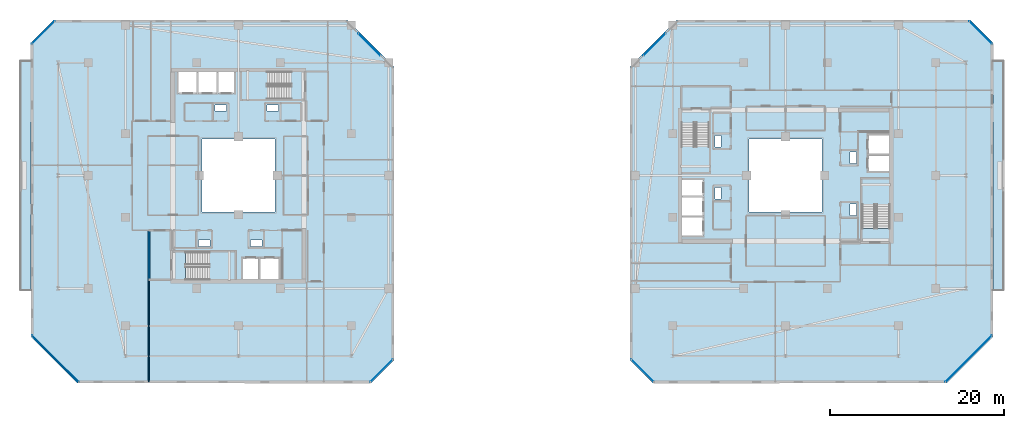
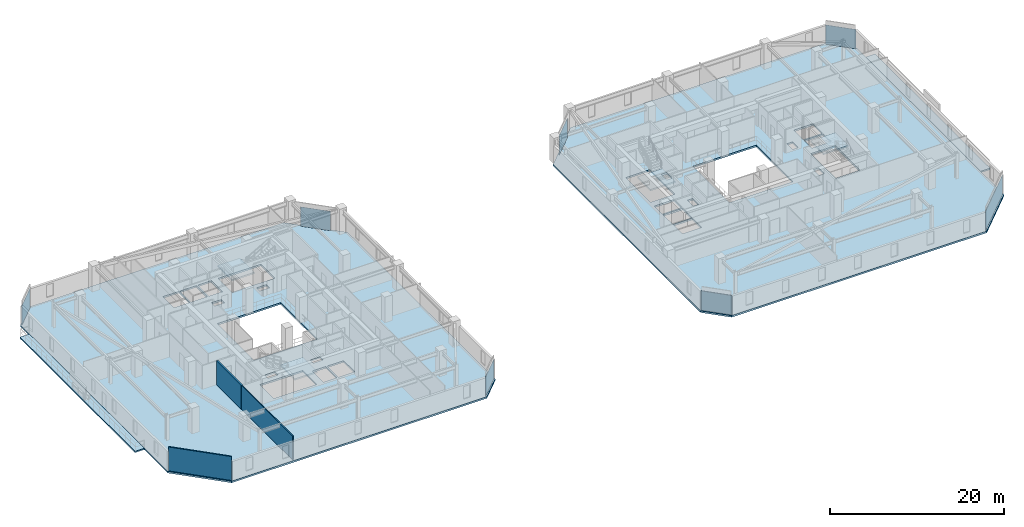
# One storey, part 17 of 32: 8 plates, 8 slabs, 3 walls, 12 elements without a shape of their own.
"""IFC4 building model written with IfcOpenShell, lengths in metres."""

from ifc_helpers import new_model, si_unit, direction, frame, frame_2d, origin, origin_2d, place, context, subcontext, project, spatial, polyline, rectangle, outline, extrude, material, layer, layer_set, type_object, element, aggregate, save


model = new_model("IFC4")

# Units and contexts
model_context = context("Model", 3, precision=1e-05, world=origin(), true_north=direction((0.0, 1.0)))
body_context = subcontext(model_context, "Body", "Model", "MODEL_VIEW")
ifc_project = project(units=[si_unit("LENGTHUNIT", "METRE"), si_unit("AREAUNIT", "SQUARE_METRE"), si_unit("VOLUMEUNIT", "CUBIC_METRE"), si_unit("PLANEANGLEUNIT", "RADIAN"), si_unit("MASSUNIT", "GRAM", prefix="KILO")], contexts=[model_context])

# Site, building, storey
site_placement = place(None, origin())
site = spatial("IfcSite", under=ifc_project, at=site_placement, CompositionType="ELEMENT")
building_placement = place(site_placement, origin())
building = spatial("IfcBuilding", under=site, at=building_placement, Name="Thornwick Lancets Civic Towers", CompositionType="ELEMENT")
storey_placement = place(building_placement, frame((0.0, 0.0, 240.300048828125)))
storey = spatial("IfcBuildingStorey", under=building, at=storey_placement, Name="L64", CompositionType="ELEMENT", Elevation=240.300048828125)

# Curtain wall, plate
ifc_material_1 = material(Name="High-zone chamfered-corner unitised glass curtain wall", Category="glass")
curtain_wall_type = type_object("IfcCurtainWallType", Name="CW_SYS_05", PredefinedType="NOTDEFINED", material=ifc_material_1)
curtain_wall_1_placement = place(storey_placement, origin())
curtain_wall_1 = element("IfcCurtainWall", 1, at=curtain_wall_1_placement, inside=storey, type_object=curtain_wall_type, Name="L64 Curtain Wall CW-L64-A-E1", PredefinedType="NOTDEFINED")
ifc_material_2 = material(Name="Low-e double glazing clear glass", Category="glass")
ifc_layer_1 = layer(ifc_material_2, 0.035888671875, Name="Low-e double glazing clear glass")
ifc_layer_set_1 = layer_set([ifc_layer_1], Name="Low-e double glazing clear glass")
plate_type = type_object("IfcPlateType", Name="CW_PNL_GLASS", PredefinedType="CURTAIN_PANEL", material=ifc_layer_set_1)
plate_1_placement = place(storey_placement, frame((41.972900390625, 4.527099609375, 0.0), z_axis=(0.0, 0.0, 1.0), x_axis=(0.707106781187, 0.707106781187, 0.0)))
plate_1 = element("IfcPlate", 2, at=plate_1_placement, type_object=plate_type, Name="CW-L64-A-E1 Panel 0", PredefinedType="CURTAIN_PANEL", context=body_context, shape_type="SweptSolid", body=[
    extrude(rectangle(XDim=3.649169921875, YDim=0.035888671875, at=origin_2d()), origin(), (0.0, 0.0, 1.0), 2.699951171875),
])
aggregate(curtain_wall_1, [plate_1])

curtain_wall_2_placement = place(storey_placement, origin())
curtain_wall_2 = element("IfcCurtainWall", 3, at=curtain_wall_2_placement, inside=storey, type_object=curtain_wall_type, Name="L64 Curtain Wall CW-L64-A-E3", PredefinedType="NOTDEFINED")
plate_2_placement = place(storey_placement, frame((40.589599609375, 42.089599609375, 0.0), z_axis=(0.0, 0.0, 1.0), x_axis=(-0.707106781187, 0.707106781187, 0.0)))
plate_2 = element("IfcPlate", 4, at=plate_2_placement, type_object=plate_type, Name="CW-L64-A-E3 Panel 0", PredefinedType="CURTAIN_PANEL", context=body_context, shape_type="SweptSolid", body=[
    extrude(rectangle(XDim=3.5771484375, YDim=0.035888671875, at=origin_2d()), origin(), (0.0, 0.0, 1.0), 2.699951171875),
])
aggregate(curtain_wall_2, [plate_2])

curtain_wall_3_placement = place(storey_placement, origin())
curtain_wall_3 = element("IfcCurtainWall", 5, at=curtain_wall_3_placement, inside=storey, type_object=curtain_wall_type, Name="L64 Curtain Wall CW-L64-A-E5", PredefinedType="NOTDEFINED")
plate_3_placement = place(storey_placement, frame((3.027099609375, 43.472900390625, 0.0), z_axis=(0.0, 0.0, 1.0), x_axis=(-0.707106781187, -0.707106781187, 0.0)))
plate_3 = element("IfcPlate", 6, at=plate_3_placement, type_object=plate_type, Name="CW-L64-A-E5 Panel 0", PredefinedType="CURTAIN_PANEL", context=body_context, shape_type="SweptSolid", body=[
    extrude(rectangle(XDim=3.649169921875, YDim=0.035888671875, at=origin_2d()), origin(), (0.0, 0.0, 1.0), 2.699951171875),
])
aggregate(curtain_wall_3, [plate_3])

curtain_wall_4_placement = place(storey_placement, origin())
curtain_wall_4 = element("IfcCurtainWall", 7, at=curtain_wall_4_placement, inside=storey, type_object=curtain_wall_type, Name="L64 Curtain Wall CW-L64-A-E7", PredefinedType="NOTDEFINED")
plate_4_placement = place(storey_placement, frame((4.410400390625, 5.910400390625, 0.0), z_axis=(0.0, 0.0, 1.0), x_axis=(0.707106781187, -0.707106781187, 0.0)))
plate_4 = element("IfcPlate", 8, at=plate_4_placement, type_object=plate_type, Name="CW-L64-A-E7 Panel 0", PredefinedType="CURTAIN_PANEL", context=body_context, shape_type="SweptSolid", body=[
    extrude(rectangle(XDim=7.536376953125, YDim=0.035888671875, at=origin_2d()), origin(), (0.0, 0.0, 1.0), 2.699951171875),
])
aggregate(curtain_wall_4, [plate_4])

curtain_wall_5_placement = place(storey_placement, origin())
curtain_wall_5 = element("IfcCurtainWall", 9, at=curtain_wall_5_placement, inside=storey, type_object=curtain_wall_type, Name="L64 Curtain Wall CW-L64-B-E1", PredefinedType="NOTDEFINED")
plate_5_placement = place(storey_placement, frame((109.589599609375, 5.910400390625, 0.0), z_axis=(0.0, 0.0, 1.0), x_axis=(0.707106781187, 0.707106781187, 0.0)))
plate_5 = element("IfcPlate", 10, at=plate_5_placement, type_object=plate_type, Name="CW-L64-B-E1 Panel 0", PredefinedType="CURTAIN_PANEL", context=body_context, shape_type="SweptSolid", body=[
    extrude(rectangle(XDim=7.536376953125, YDim=0.035888671875, at=origin_2d()), origin(), (0.0, 0.0, 1.0), 2.699951171875),
])
aggregate(curtain_wall_5, [plate_5])

curtain_wall_6_placement = place(storey_placement, origin())
curtain_wall_6 = element("IfcCurtainWall", 11, at=curtain_wall_6_placement, inside=storey, type_object=curtain_wall_type, Name="L64 Curtain Wall CW-L64-B-E3", PredefinedType="NOTDEFINED")
plate_6_placement = place(storey_placement, frame((110.972900390625, 43.472900390625, 0.0), z_axis=(0.0, 0.0, 1.0), x_axis=(-0.707106781187, 0.707106781187, 0.0)))
plate_6 = element("IfcPlate", 12, at=plate_6_placement, type_object=plate_type, Name="CW-L64-B-E3 Panel 0", PredefinedType="CURTAIN_PANEL", context=body_context, shape_type="SweptSolid", body=[
    extrude(rectangle(XDim=3.649169921875, YDim=0.035888671875, at=origin_2d()), origin(), (0.0, 0.0, 1.0), 2.699951171875),
])
aggregate(curtain_wall_6, [plate_6])

curtain_wall_7_placement = place(storey_placement, origin())
curtain_wall_7 = element("IfcCurtainWall", 13, at=curtain_wall_7_placement, inside=storey, type_object=curtain_wall_type, Name="L64 Curtain Wall CW-L64-B-E5", PredefinedType="NOTDEFINED")
plate_7_placement = place(storey_placement, frame((73.410400390625, 42.089599609375, 0.0), z_axis=(0.0, 0.0, 1.0), x_axis=(-0.707106781187, -0.707106781187, 0.0)))
plate_7 = element("IfcPlate", 14, at=plate_7_placement, type_object=plate_type, Name="CW-L64-B-E5 Panel 0", PredefinedType="CURTAIN_PANEL", context=body_context, shape_type="SweptSolid", body=[
    extrude(rectangle(XDim=3.5771484375, YDim=0.035888671875, at=origin_2d()), origin(), (0.0, 0.0, 1.0), 2.699951171875),
])
aggregate(curtain_wall_7, [plate_7])

curtain_wall_8_placement = place(storey_placement, origin())
curtain_wall_8 = element("IfcCurtainWall", 15, at=curtain_wall_8_placement, inside=storey, type_object=curtain_wall_type, Name="L64 Curtain Wall CW-L64-B-E7", PredefinedType="NOTDEFINED")
plate_8_placement = place(storey_placement, frame((72.027099609375, 4.527099609375, 0.0), z_axis=(0.0, 0.0, 1.0), x_axis=(0.707106781187, -0.707106781187, 0.0)))
plate_8 = element("IfcPlate", 16, at=plate_8_placement, type_object=plate_type, Name="CW-L64-B-E7 Panel 0", PredefinedType="CURTAIN_PANEL", context=body_context, shape_type="SweptSolid", body=[
    extrude(rectangle(XDim=3.649169921875, YDim=0.035888671875, at=origin_2d()), origin(), (0.0, 0.0, 1.0), 2.699951171875),
])
aggregate(curtain_wall_8, [plate_8])

# Slabs
ifc_material_3 = material(Name="Post-tensioned concrete C40/50", Category="concrete")
ifc_layer_2 = layer(ifc_material_3, 0.199951171875, Name="Post-tensioned concrete C40/50")
ifc_layer_set_2 = layer_set([ifc_layer_2], Name="Post-tensioned concrete C40/50")
slab_type_1 = type_object("IfcSlabType", Name="SLAB_BALCONY_200", PredefinedType="FLOOR", material=ifc_layer_set_2)
slab_1_placement = place(storey_placement, frame((0.0, 0.0, -0.199951171875)))
element("IfcSlab", 17, at=slab_1_placement, inside=storey, type_object=slab_type_1, Name="L64 Tower A Planted Balcony Slab W", PredefinedType="FLOOR", context=body_context, shape_type="SweptSolid", body=[
    extrude(outline(polyline([(0.35009765625, 13.800048828125), (1.60009765625, 13.800048828125), (1.60009765625, 40.199951171875), (0.35009765625, 40.199951171875), (0.35009765625, 13.800048828125)])), origin(), (0.0, 0.0, 1.0), 0.199951171875),
])
slab_2_placement = place(storey_placement, frame((0.0, 0.0, -0.199951171875)))
element("IfcSlab", 18, at=slab_2_placement, inside=storey, type_object=slab_type_1, Name="L64 Tower B Planted Balcony Slab E", PredefinedType="FLOOR", context=body_context, shape_type="SweptSolid", body=[
    extrude(outline(polyline([(112.39990234375, 13.800048828125), (113.64990234375, 13.800048828125), (113.64990234375, 40.199951171875), (112.39990234375, 40.199951171875), (112.39990234375, 13.800048828125)])), origin(), (0.0, 0.0, 1.0), 0.199951171875),
])

# Stair, slab
ifc_material_4 = material(Name="Concrete C40/50", Category="concrete")
stair_type = type_object("IfcStairType", Name="STAIR_DL_3600", PredefinedType="HALF_TURN_STAIR", material=ifc_material_4)
stair_1_placement = place(storey_placement, origin())
stair_1 = element("IfcStair", 19, at=stair_1_placement, inside=storey, type_object=stair_type, Name="L64 Tower A South Exit Stair ST-A1", PredefinedType="HALF_TURN_STAIR")
ifc_layer_3 = layer(ifc_material_4, 0.25, Name="Concrete C40/50")
ifc_layer_set_3 = layer_set([ifc_layer_3], Name="Concrete C40/50")
slab_type_2 = type_object("IfcSlabType", Name="SLAB_LANDING_200", PredefinedType="LANDING", material=ifc_layer_set_3)
slab_3_placement = place(storey_placement, frame((0.0, 0.0, 1.60302734375)))
slab_3 = element("IfcSlab", 20, at=slab_3_placement, type_object=slab_type_2, Name="ST-A1 landing 1", PredefinedType="LANDING", context=body_context, shape_type="SweptSolid", body=[
    extrude(outline(polyline([(22.169921875, 14.93994140625), (25.14990234375, 14.93994140625), (25.14990234375, 18.260009765625), (22.169921875, 18.260009765625), (22.169921875, 14.93994140625)])), origin(), (0.0, 0.0, 1.0), 0.199951171875),
])
aggregate(stair_1, [slab_3])

stair_2_placement = place(storey_placement, origin())
stair_2 = element("IfcStair", 21, at=stair_2_placement, inside=storey, type_object=stair_type, Name="L64 Tower A North Exit Stair ST-A2", PredefinedType="HALF_TURN_STAIR")
slab_4_placement = place(storey_placement, frame((0.0, 0.0, 1.60302734375)))
slab_4 = element("IfcSlab", 22, at=slab_4_placement, type_object=slab_type_2, Name="ST-A2 landing 1", PredefinedType="LANDING", context=body_context, shape_type="SweptSolid", body=[
    extrude(outline(polyline([(28.830078125, 39.06005859375), (25.85009765625, 39.06005859375), (25.85009765625, 35.739990234375), (28.830078125, 35.739990234375), (28.830078125, 39.06005859375)])), origin(), (0.0, 0.0, 1.0), 0.199951171875),
])
aggregate(stair_2, [slab_4])

stair_3_placement = place(storey_placement, origin())
stair_3 = element("IfcStair", 23, at=stair_3_placement, inside=storey, type_object=stair_type, Name="L64 Tower B East Exit Stair ST-B1", PredefinedType="HALF_TURN_STAIR")
slab_5_placement = place(storey_placement, frame((0.0, 0.0, 1.60302734375)))
slab_5 = element("IfcSlab", 24, at=slab_5_placement, type_object=slab_type_2, Name="ST-B1 landing 1", PredefinedType="LANDING", context=body_context, shape_type="SweptSolid", body=[
    extrude(outline(polyline([(100.56005859375, 23.669921875), (100.56005859375, 26.64990234375), (97.239990234375, 26.64990234375), (97.239990234375, 23.669921875), (100.56005859375, 23.669921875)])), origin(), (0.0, 0.0, 1.0), 0.199951171875),
])
aggregate(stair_3, [slab_5])

stair_4_placement = place(storey_placement, origin())
stair_4 = element("IfcStair", 25, at=stair_4_placement, inside=storey, type_object=stair_type, Name="L64 Tower B West Exit Stair ST-B2", PredefinedType="HALF_TURN_STAIR")
slab_6_placement = place(storey_placement, frame((0.0, 0.0, 1.60302734375)))
slab_6 = element("IfcSlab", 26, at=slab_6_placement, type_object=slab_type_2, Name="ST-B2 landing 1", PredefinedType="LANDING", context=body_context, shape_type="SweptSolid", body=[
    extrude(outline(polyline([(76.43994140625, 30.330078125), (76.43994140625, 27.35009765625), (79.760009765625, 27.35009765625), (79.760009765625, 30.330078125), (76.43994140625, 30.330078125)])), origin(), (0.0, 0.0, 1.0), 0.199951171875),
])
aggregate(stair_4, [slab_6])

# Slabs
ifc_layer_4 = layer(ifc_material_3, 0.239990234375, Name="Post-tensioned concrete C40/50")
ifc_layer_set_4 = layer_set([ifc_layer_4], Name="Post-tensioned concrete C40/50")
slab_type_3 = type_object("IfcSlabType", Name="SLAB_PT_240", PredefinedType="FLOOR", material=ifc_layer_set_4)
slab_7_placement = place(storey_placement, frame((0.0, 0.0, -0.239990234375)))
element("IfcSlab", 27, at=slab_7_placement, inside=storey, type_object=slab_type_3, Name="L64 Tower A Floor Slab", PredefinedType="FLOOR", context=body_context, shape_type="SweptSolid", body=[
    extrude(outline(polyline([(6.968994140625, 3.10009765625), (40.800048828125, 3.10009765625), (43.39990234375, 5.699951171875), (43.39990234375, 39.531005859375), (38.031005859375, 44.89990234375), (4.199951171875, 44.89990234375), (1.60009765625, 42.300048828125), (1.60009765625, 8.468994140625), (6.968994140625, 3.10009765625)]), holes=[polyline([(21.300048828125, 22.800048828125), (29.699951171875, 22.800048828125), (29.699951171875, 31.199951171875), (21.300048828125, 31.199951171875), (21.300048828125, 22.800048828125)]), polyline([(19.429931640625, 15.0), (25.10009765625, 15.0), (25.10009765625, 18.199951171875), (19.429931640625, 18.199951171875), (19.429931640625, 15.0)]), polyline([(31.570068359375, 39.0), (25.89990234375, 39.0), (25.89990234375, 35.800048828125), (31.570068359375, 35.800048828125), (31.570068359375, 39.0)]), polyline([(26.0, 15.0), (27.800048828125, 15.0), (27.800048828125, 17.550048828125), (26.0, 17.550048828125), (26.0, 15.0)]), polyline([(28.0, 15.0), (30.14990234375, 15.0), (30.14990234375, 17.550048828125), (28.0, 17.550048828125), (28.0, 15.0)]), polyline([(23.199951171875, 36.449951171875), (25.0, 36.449951171875), (25.0, 39.0), (23.199951171875, 39.0), (23.199951171875, 36.449951171875)]), polyline([(20.85009765625, 36.449951171875), (23.0, 36.449951171875), (23.0, 39.0), (20.85009765625, 39.0), (20.85009765625, 36.449951171875)]), polyline([(18.60009765625, 36.449951171875), (20.699951171875, 36.449951171875), (20.699951171875, 39.0), (18.60009765625, 39.0), (18.60009765625, 36.449951171875)]), polyline([(26.89990234375, 18.85009765625), (28.199951171875, 18.85009765625), (28.199951171875, 19.580078125), (26.89990234375, 19.580078125), (26.89990234375, 18.85009765625)]), polyline([(20.89990234375, 18.85009765625), (22.199951171875, 18.85009765625), (22.199951171875, 19.580078125), (20.89990234375, 19.580078125), (20.89990234375, 18.85009765625)]), polyline([(22.800048828125, 34.419921875), (24.10009765625, 34.419921875), (24.10009765625, 35.14990234375), (22.800048828125, 35.14990234375), (22.800048828125, 34.419921875)]), polyline([(28.800048828125, 34.419921875), (30.10009765625, 34.419921875), (30.10009765625, 35.14990234375), (28.800048828125, 35.14990234375), (28.800048828125, 34.419921875)])]), origin(), (0.0, 0.0, 1.0), 0.239990234375),
])
slab_8_placement = place(storey_placement, frame((0.0, 0.0, -0.239990234375)))
element("IfcSlab", 28, at=slab_8_placement, inside=storey, type_object=slab_type_3, Name="L64 Tower B Floor Slab", PredefinedType="FLOOR", context=body_context, shape_type="SweptSolid", body=[
    extrude(outline(polyline([(73.199951171875, 3.10009765625), (107.031005859375, 3.10009765625), (112.39990234375, 8.468994140625), (112.39990234375, 42.300048828125), (109.800048828125, 44.89990234375), (75.968994140625, 44.89990234375), (70.60009765625, 39.531005859375), (70.60009765625, 5.699951171875), (73.199951171875, 3.10009765625)]), holes=[polyline([(84.300048828125, 22.800048828125), (92.699951171875, 22.800048828125), (92.699951171875, 31.199951171875), (84.300048828125, 31.199951171875), (84.300048828125, 22.800048828125)]), polyline([(100.5, 20.929931640625), (100.5, 26.60009765625), (97.300048828125, 26.60009765625), (97.300048828125, 20.929931640625), (100.5, 20.929931640625)]), polyline([(76.5, 33.070068359375), (76.5, 27.39990234375), (79.699951171875, 27.39990234375), (79.699951171875, 33.070068359375), (76.5, 33.070068359375)]), polyline([(97.949951171875, 27.5), (100.5, 27.5), (100.5, 29.300048828125), (97.949951171875, 29.300048828125), (97.949951171875, 27.5)]), polyline([(97.949951171875, 29.5), (100.5, 29.5), (100.5, 31.64990234375), (97.949951171875, 31.64990234375), (97.949951171875, 29.5)]), polyline([(76.5, 24.699951171875), (79.050048828125, 24.699951171875), (79.050048828125, 26.5), (76.5, 26.5), (76.5, 24.699951171875)]), polyline([(76.5, 22.35009765625), (79.050048828125, 22.35009765625), (79.050048828125, 24.5), (76.5, 24.5), (76.5, 22.35009765625)]), polyline([(76.5, 20.10009765625), (79.050048828125, 20.10009765625), (79.050048828125, 22.199951171875), (76.5, 22.199951171875), (76.5, 20.10009765625)]), polyline([(95.919921875, 28.39990234375), (96.64990234375, 28.39990234375), (96.64990234375, 29.699951171875), (95.919921875, 29.699951171875), (95.919921875, 28.39990234375)]), polyline([(95.919921875, 22.39990234375), (96.64990234375, 22.39990234375), (96.64990234375, 23.699951171875), (95.919921875, 23.699951171875), (95.919921875, 22.39990234375)]), polyline([(80.35009765625, 24.300048828125), (81.080078125, 24.300048828125), (81.080078125, 25.60009765625), (80.35009765625, 25.60009765625), (80.35009765625, 24.300048828125)]), polyline([(80.35009765625, 30.300048828125), (81.080078125, 30.300048828125), (81.080078125, 31.60009765625), (80.35009765625, 31.60009765625), (80.35009765625, 30.300048828125)])]), origin(), (0.0, 0.0, 1.0), 0.239990234375),
])

# Walls
ifc_material_5 = material(Name="Concrete blockwork C40/50", Category="masonry")
ifc_layer_5 = layer(ifc_material_5, 0.199951171875, Name="Concrete blockwork C40/50")
ifc_layer_set_5 = layer_set([ifc_layer_5], Name="Concrete blockwork C40/50")
wall_type_1 = type_object("IfcWallType", Name="WALL_COMP_200", PredefinedType="STANDARD", material=ifc_layer_set_5)
wall_1_placement = place(storey_placement, frame((15.199951171875, 20.699951171875, 0.0), z_axis=(0.0, 0.0, 1.0), x_axis=(0.0, -1.0, 0.0)))
element("IfcWall", 29, at=wall_1_placement, inside=storey, type_object=wall_type_1, Name="L64 Partition L64-A-FFLOB1 E4", PredefinedType="STANDARD", context=body_context, shape_type="SweptSolid", body=[
    extrude(rectangle(XDim=5.699951171875, YDim=0.199951171875, at=frame_2d((2.85009765625, 0.0))), origin(), (0.0, 0.0, 1.0), 3.33984375),
])
ifc_material_6 = material(Name="Acoustic gypsum board partition")
ifc_layer_6 = layer(ifc_material_6, 0.1201171875, Name="Acoustic gypsum board partition")
ifc_layer_set_6 = layer_set([ifc_layer_6], Name="Acoustic gypsum board partition")
wall_type_2 = type_object("IfcWallType", Name="WALL_PART_120", PredefinedType="PARTITIONING", material=ifc_layer_set_6)
wall_2_placement = place(storey_placement, frame((15.199951171875, 15.0, 0.0), z_axis=(0.0, 0.0, 1.0), x_axis=(0.0, -1.0, 0.0)))
element("IfcWall", 30, at=wall_2_placement, inside=storey, type_object=wall_type_2, Name="L64 Partition L64-A-W1 E4", PredefinedType="PARTITIONING", context=body_context, shape_type="SweptSolid", body=[
    extrude(rectangle(XDim=11.719970703125, YDim=0.1201171875, at=frame_2d((5.85986328125, 0.0))), origin(), (0.0, 0.0, 1.0), 3.33984375),
])
wall_3_placement = place(storey_placement, frame((7.043701171875, 3.280029296875, 0.0), z_axis=(0.0, 0.0, 1.0), x_axis=(-0.707106781187, 0.707106781187, 0.0)))
element("IfcWall", 31, at=wall_3_placement, inside=storey, type_object=wall_type_2, Name="L64 Partition L64-A-W1 E6", PredefinedType="PARTITIONING", context=body_context, shape_type="SweptSolid", body=[
    extrude(rectangle(XDim=7.44384765625, YDim=0.1201171875, at=frame_2d((3.721923828125, 0.0))), origin(), (0.0, 0.0, 1.0), 3.33984375),
])

save(model, "model.ifc")
